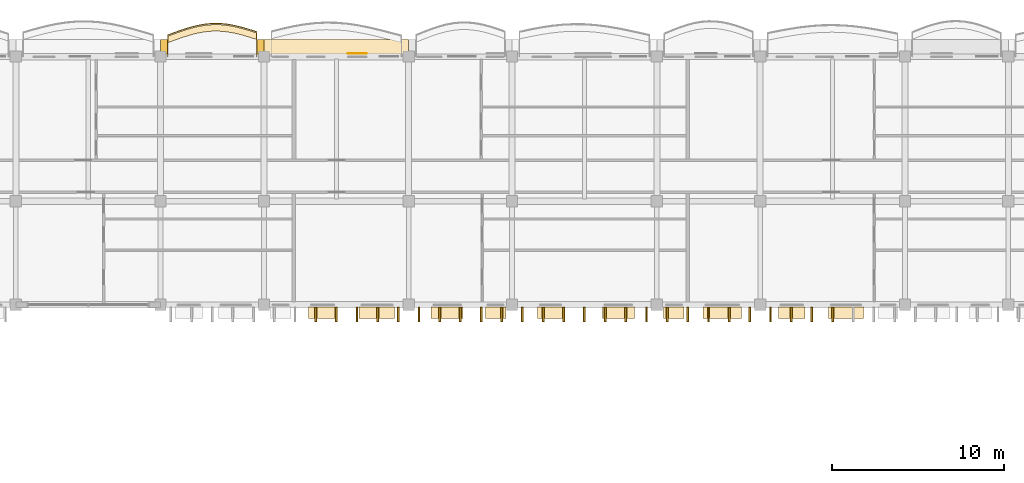
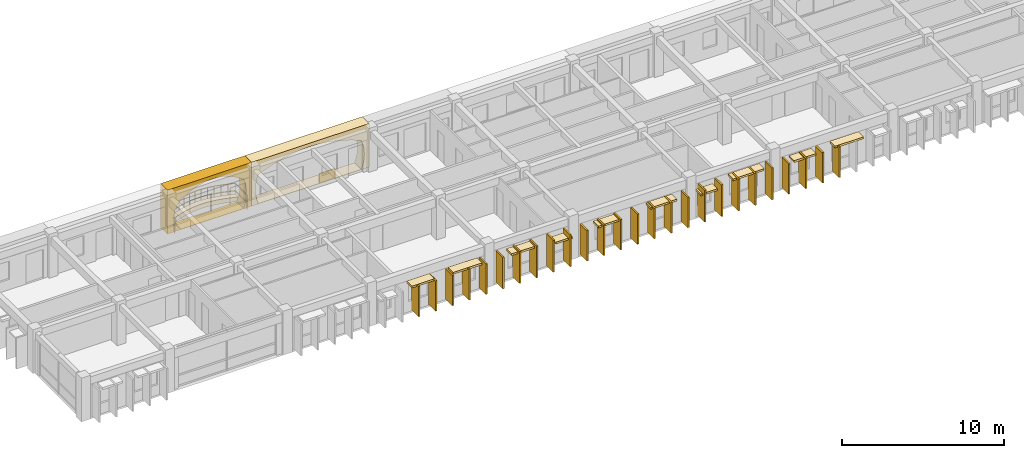
# One storey, part 62 of 76: 40 coverings, 1 railing.
"""IFC4 building model written with IfcOpenShell, lengths in metres."""

from ifc_helpers import new_model, si_unit, direction, frame, origin, origin_2d, place, context, subcontext, project, spatial, polyline, rectangle, outline, extrude, material, layer, layer_set, type_object, element, save


model = new_model("IFC4")

# Units and contexts
model_context = context("Model", 3, precision=1e-05, world=origin(), true_north=direction((0.0, 1.0)))
body_context = subcontext(model_context, "Body", "Model", "MODEL_VIEW")
ifc_project = project(units=[si_unit("LENGTHUNIT", "METRE"), si_unit("AREAUNIT", "SQUARE_METRE"), si_unit("VOLUMEUNIT", "CUBIC_METRE"), si_unit("PLANEANGLEUNIT", "RADIAN"), si_unit("MASSUNIT", "GRAM", prefix="KILO"), si_unit("THERMODYNAMICTEMPERATUREUNIT", "KELVIN")], contexts=[model_context])

# Site, building, storey
site_placement = place(None, origin())
site = spatial("IfcSite", under=ifc_project, at=site_placement, CompositionType="ELEMENT")
building_placement = place(site_placement, origin())
building = spatial("IfcBuilding", under=site, at=building_placement, Name="Thalorik Housing Commons", CompositionType="ELEMENT")
storey_placement = place(building_placement, frame((0.0, 0.0, 18.0)))
storey = spatial("IfcBuildingStorey", under=building, at=storey_placement, Name="L05", CompositionType="ELEMENT", Elevation=18.0)

# Coverings
ifc_material_1 = material(Name="Precast concrete C40/50", Category="concrete")
ifc_layer_1 = layer(ifc_material_1, 0.85009765625, Name="Precast concrete C40/50", Category="concrete")
ifc_layer_set_1 = layer_set([ifc_layer_1], Name="Precast concrete C40/50")
covering_type_1 = type_object("IfcCoveringType", Name="ARC-CLD-CUSH-850", PredefinedType="CLADDING", material=ifc_layer_set_1)
covering_1_placement = place(storey_placement, frame((105.0, 124.169921875, 0.0), z_axis=(0.0, 0.0, 1.0), x_axis=(-1.0, 0.0, 0.0)))
element("IfcCovering", 1, at=covering_1_placement, inside=storey, type_object=covering_type_1, Name="L05 White Precast Curved Cushion Bay Frame 2220", PredefinedType="CLADDING", context=body_context, shape_type="SweptSolid", body=[
    extrude(outline(polyline([(-4.199951171875, 0.0), (4.199951171875, 0.0), (4.199951171875, 3.300048828125), (-4.199951171875, 3.300048828125), (-4.199951171875, 0.0)]), holes=[polyline([(3.735107421875, 0.02490234375), (3.833251953125, 0.387451171875), (3.89208984375, 0.75), (3.91162109375, 1.112548828125), (3.89208984375, 1.47509765625), (3.833251953125, 1.83740234375), (3.735107421875, 2.199951171875), (3.121337890625, 2.455810546875), (2.507568359375, 2.656494140625), (1.893798828125, 2.819091796875), (1.280029296875, 2.940185546875), (0.666259765625, 3.014892578125), (0.052490234375, 3.0400390625), (-0.561279296875, 3.014892578125), (-1.175048828125, 2.940185546875), (-1.788818359375, 2.819091796875), (-2.402587890625, 2.656494140625), (-3.01611328125, 2.455810546875), (-3.6298828125, 2.199951171875), (-3.750244140625, 1.83740234375), (-3.822509765625, 1.47509765625), (-3.8466796875, 1.112548828125), (-3.822509765625, 0.75), (-3.750244140625, 0.387451171875), (-3.6298828125, 0.02490234375), (3.735107421875, 0.02490234375)])]), frame((0.0, 0.425048828125, 0.0), z_axis=(0.0, -1.0, 0.0), x_axis=(1.0, 0.0, 0.0)), (0.0, 0.0, 1.0), 0.85009765625),
])
covering_2_placement = place(storey_placement, frame((97.800048828125, 124.169921875, 0.0), z_axis=(0.0, 0.0, 1.0), x_axis=(-1.0, 0.0, 0.0)))
element("IfcCovering", 2, at=covering_2_placement, inside=storey, type_object=covering_type_1, Name="L05 White Precast Curved Cushion Bay Frame 2222", PredefinedType="CLADDING", context=body_context, shape_type="SweptSolid", body=[
    extrude(outline(polyline([(-3.0, 0.0), (3.0, 0.0), (3.0, 3.300048828125), (-3.0, 3.300048828125), (-3.0, 0.0)]), holes=[polyline([(2.0400390625, 0.02490234375), (2.3232421875, 0.394287109375), (2.493408203125, 0.76318359375), (2.550048828125, 1.132568359375), (2.493408203125, 1.501708984375), (2.3232421875, 1.870849609375), (2.0400390625, 2.239990234375), (1.66748046875, 2.4833984375), (1.294921875, 2.6748046875), (0.922607421875, 2.82958984375), (0.550048828125, 2.94482421875), (0.177490234375, 3.01611328125), (-0.195068359375, 3.0400390625), (-0.5673828125, 3.01611328125), (-0.93994140625, 2.94482421875), (-1.3125, 2.82958984375), (-1.68505859375, 2.6748046875), (-2.0576171875, 2.4833984375), (-2.429931640625, 2.239990234375), (-2.55029296875, 1.870849609375), (-2.62255859375, 1.501708984375), (-2.646484375, 1.132568359375), (-2.62255859375, 0.76318359375), (-2.55029296875, 0.394287109375), (-2.429931640625, 0.02490234375), (2.0400390625, 0.02490234375)])]), frame((0.0, 0.425048828125, 0.0), z_axis=(0.0, -1.0, 0.0), x_axis=(1.0, 0.0, 0.0)), (0.0, 0.0, 1.0), 0.85009765625),
])
ifc_layer_2 = layer(ifc_material_1, 0.85009765625, Name="Precast concrete C40/50", Category="concrete")
ifc_layer_set_2 = layer_set([ifc_layer_2], Name="Precast concrete C40/50")
covering_type_2 = type_object("IfcCoveringType", Name="ARC-CLD-FIN-850", PredefinedType="CLADDING", material=ifc_layer_set_2)
for number, where, z_axis, x_axis, name in (
    (3, (103.800048828125, 108.6298828125, 0.0400390625), (0.0, 0.0, 1.0), (1.0, 0.0, 0.0), "L05 Courtyard Precast Vertical Brise-Soleil Fin 2254"),
    (4, (105.0, 108.6298828125, 0.0400390625), (0.0, 0.0, 1.0), (1.0, 0.0, 0.0), "L05 Courtyard Precast Vertical Brise-Soleil Fin 2255"),
    (5, (106.199951171875, 108.6298828125, 0.0400390625), (0.0, 0.0, 1.0), (1.0, 0.0, 0.0), "L05 Courtyard Precast Vertical Brise-Soleil Fin 2256"),
    (6, (107.39990234375, 108.6298828125, 0.0400390625), (0.0, 0.0, 1.0), (1.0, 0.0, 0.0), "L05 Courtyard Precast Vertical Brise-Soleil Fin 2257"),
    (7, (108.60009765625, 108.6298828125, 0.0400390625), (0.0, 0.0, 1.0), (1.0, 0.0, 0.0), "L05 Courtyard Precast Vertical Brise-Soleil Fin 2258"),
):
    element("IfcCovering", number, at=place(storey_placement, frame(where, z_axis=z_axis, x_axis=x_axis)), inside=storey, type_object=covering_type_2, Name=name, PredefinedType="CLADDING", context=body_context, shape_type="SweptSolid", body=[
        extrude(rectangle(XDim=0.110107421875, YDim=0.85009765625, at=origin_2d()), origin(), (0.0, 0.0, 1.0), 2.294921875),
    ])
for number, where, z_axis, x_axis, name in (
    (8, (109.800048828125, 108.6298828125, 0.0400390625), (0.0, 0.0, 1.0), (1.0, 0.0, 0.0), "L05 Courtyard Precast Vertical Brise-Soleil Fin 2262"),
    (9, (111.0, 108.6298828125, 0.0400390625), (0.0, 0.0, 1.0), (1.0, 0.0, 0.0), "L05 Courtyard Precast Vertical Brise-Soleil Fin 2263"),
    (10, (112.199951171875, 108.6298828125, 0.0400390625), (0.0, 0.0, 1.0), (1.0, 0.0, 0.0), "L05 Courtyard Precast Vertical Brise-Soleil Fin 2264"),
    (11, (113.39990234375, 108.6298828125, 0.0400390625), (0.0, 0.0, 1.0), (1.0, 0.0, 0.0), "L05 Courtyard Precast Vertical Brise-Soleil Fin 2265"),
    (12, (114.60009765625, 108.6298828125, 0.0400390625), (0.0, 0.0, 1.0), (1.0, 0.0, 0.0), "L05 Courtyard Precast Vertical Brise-Soleil Fin 2266"),
):
    element("IfcCovering", number, at=place(storey_placement, frame(where, z_axis=z_axis, x_axis=x_axis)), inside=storey, type_object=covering_type_2, Name=name, PredefinedType="CLADDING", context=body_context, shape_type="SweptSolid", body=[
        extrude(rectangle(XDim=0.110107421875, YDim=0.85009765625, at=origin_2d()), origin(), (0.0, 0.0, 1.0), 2.39501953125),
    ])
for number, where, z_axis, x_axis, name in (
    (13, (115.800048828125, 108.6298828125, 0.0400390625), (0.0, 0.0, 1.0), (1.0, 0.0, 0.0), "L05 Courtyard Precast Vertical Brise-Soleil Fin 2269"),
    (14, (117.0, 108.6298828125, 0.0400390625), (0.0, 0.0, 1.0), (1.0, 0.0, 0.0), "L05 Courtyard Precast Vertical Brise-Soleil Fin 2270"),
    (15, (118.199951171875, 108.6298828125, 0.0400390625), (0.0, 0.0, 1.0), (1.0, 0.0, 0.0), "L05 Courtyard Precast Vertical Brise-Soleil Fin 2271"),
    (16, (119.39990234375, 108.6298828125, 0.0400390625), (0.0, 0.0, 1.0), (1.0, 0.0, 0.0), "L05 Courtyard Precast Vertical Brise-Soleil Fin 2272"),
    (17, (120.60009765625, 108.6298828125, 0.0400390625), (0.0, 0.0, 1.0), (1.0, 0.0, 0.0), "L05 Courtyard Precast Vertical Brise-Soleil Fin 2273"),
    (18, (121.800048828125, 108.6298828125, 0.0400390625), (0.0, 0.0, 1.0), (1.0, 0.0, 0.0), "L05 Courtyard Precast Vertical Brise-Soleil Fin 2274"),
    (19, (123.0, 108.6298828125, 0.0400390625), (0.0, 0.0, 1.0), (1.0, 0.0, 0.0), "L05 Courtyard Precast Vertical Brise-Soleil Fin 2275"),
):
    element("IfcCovering", number, at=place(storey_placement, frame(where, z_axis=z_axis, x_axis=x_axis)), inside=storey, type_object=covering_type_2, Name=name, PredefinedType="CLADDING", context=body_context, shape_type="SweptSolid", body=[
        extrude(rectangle(XDim=0.110107421875, YDim=0.85009765625, at=origin_2d()), origin(), (0.0, 0.0, 1.0), 2.294921875),
    ])
for number, where, z_axis, x_axis, name in (
    (20, (124.199951171875, 108.6298828125, 0.0400390625), (0.0, 0.0, 1.0), (1.0, 0.0, 0.0), "L05 Courtyard Precast Vertical Brise-Soleil Fin 2278"),
    (21, (125.39990234375, 108.6298828125, 0.0400390625), (0.0, 0.0, 1.0), (1.0, 0.0, 0.0), "L05 Courtyard Precast Vertical Brise-Soleil Fin 2279"),
    (22, (126.60009765625, 108.6298828125, 0.0400390625), (0.0, 0.0, 1.0), (1.0, 0.0, 0.0), "L05 Courtyard Precast Vertical Brise-Soleil Fin 2280"),
    (23, (127.800048828125, 108.6298828125, 0.0400390625), (0.0, 0.0, 1.0), (1.0, 0.0, 0.0), "L05 Courtyard Precast Vertical Brise-Soleil Fin 2281"),
    (24, (129.0, 108.6298828125, 0.0400390625), (0.0, 0.0, 1.0), (1.0, 0.0, 0.0), "L05 Courtyard Precast Vertical Brise-Soleil Fin 2282"),
):
    element("IfcCovering", number, at=place(storey_placement, frame(where, z_axis=z_axis, x_axis=x_axis)), inside=storey, type_object=covering_type_2, Name=name, PredefinedType="CLADDING", context=body_context, shape_type="SweptSolid", body=[
        extrude(rectangle(XDim=0.110107421875, YDim=0.85009765625, at=origin_2d()), origin(), (0.0, 0.0, 1.0), 2.39501953125),
    ])
for number, where, z_axis, x_axis, name in (
    (25, (130.199951171875, 108.6298828125, 0.0400390625), (0.0, 0.0, 1.0), (1.0, 0.0, 0.0), "L05 Courtyard Precast Vertical Brise-Soleil Fin 2285"),
    (26, (131.39990234375, 108.6298828125, 0.0400390625), (0.0, 0.0, 1.0), (1.0, 0.0, 0.0), "L05 Courtyard Precast Vertical Brise-Soleil Fin 2286"),
    (27, (132.60009765625, 108.6298828125, 0.0400390625), (0.0, 0.0, 1.0), (1.0, 0.0, 0.0), "L05 Courtyard Precast Vertical Brise-Soleil Fin 2287"),
    (28, (133.800048828125, 108.6298828125, 0.0400390625), (0.0, 0.0, 1.0), (1.0, 0.0, 0.0), "L05 Courtyard Precast Vertical Brise-Soleil Fin 2288"),
):
    element("IfcCovering", number, at=place(storey_placement, frame(where, z_axis=z_axis, x_axis=x_axis)), inside=storey, type_object=covering_type_2, Name=name, PredefinedType="CLADDING", context=body_context, shape_type="SweptSolid", body=[
        extrude(rectangle(XDim=0.110107421875, YDim=0.85009765625, at=origin_2d()), origin(), (0.0, 0.0, 1.0), 2.294921875),
    ])
ifc_layer_3 = layer(ifc_material_1, 0.64990234375, Name="Precast concrete C40/50", Category="concrete")
ifc_layer_set_3 = layer_set([ifc_layer_3], Name="Precast concrete C40/50")
covering_type_3 = type_object("IfcCoveringType", Name="ARC-CLD-HOOD-650", PredefinedType="CLADDING", material=ifc_layer_set_3)
covering_3_placement = place(storey_placement, frame((104.1923828125, 108.72998046875, 2.22509765625), z_axis=(0.0, 0.0, 1.0), x_axis=(1.0, 0.0, 0.0)))
element("IfcCovering", 29, at=covering_3_placement, inside=storey, type_object=covering_type_3, Name="L05 Courtyard Precast Window Sun-Hood 2260", PredefinedType="CLADDING", context=body_context, shape_type="SweptSolid", body=[
    extrude(rectangle(XDim=1.6201171875, YDim=0.64990234375, at=origin_2d()), origin(), (0.0, 0.0, 1.0), 0.139892578125),
])
covering_4_placement = place(storey_placement, frame((107.357421875, 108.72998046875, 2.22509765625), z_axis=(0.0, 0.0, 1.0), x_axis=(1.0, 0.0, 0.0)))
element("IfcCovering", 30, at=covering_4_placement, inside=storey, type_object=covering_type_3, Name="L05 Courtyard Precast Window Sun-Hood 2261", PredefinedType="CLADDING", context=body_context, shape_type="SweptSolid", body=[
    extrude(rectangle(XDim=2.06005859375, YDim=0.64990234375, at=origin_2d()), origin(), (0.0, 0.0, 1.0), 0.139892578125),
])
covering_5_placement = place(storey_placement, frame((111.429931640625, 108.72998046875, 2.169921875), z_axis=(0.0, 0.0, 1.0), x_axis=(1.0, 0.0, 0.0)))
element("IfcCovering", 31, at=covering_5_placement, inside=storey, type_object=covering_type_3, Name="L05 Courtyard Precast Window Sun-Hood 2267", PredefinedType="CLADDING", context=body_context, shape_type="SweptSolid", body=[
    extrude(rectangle(XDim=1.860107421875, YDim=0.64990234375, at=origin_2d()), origin(), (0.0, 0.0, 1.0), 0.139892578125),
])
covering_6_placement = place(storey_placement, frame((114.239990234375, 108.72998046875, 1.93994140625), z_axis=(0.0, 0.0, 1.0), x_axis=(1.0, 0.0, 0.0)))
element("IfcCovering", 32, at=covering_6_placement, inside=storey, type_object=covering_type_3, Name="L05 Courtyard Precast Window Sun-Hood 2268", PredefinedType="CLADDING", context=body_context, shape_type="SweptSolid", body=[
    extrude(rectangle(XDim=1.18994140625, YDim=0.64990234375, at=origin_2d()), origin(), (0.0, 0.0, 1.0), 0.139892578125),
])
covering_7_placement = place(storey_placement, frame((117.429931640625, 108.72998046875, 2.08984375), z_axis=(0.0, 0.0, 1.0), x_axis=(1.0, 0.0, 0.0)))
element("IfcCovering", 33, at=covering_7_placement, inside=storey, type_object=covering_type_3, Name="L05 Courtyard Precast Window Sun-Hood 2276", PredefinedType="CLADDING", context=body_context, shape_type="SweptSolid", body=[
    extrude(rectangle(XDim=1.489990234375, YDim=0.64990234375, at=origin_2d()), origin(), (0.0, 0.0, 1.0), 0.139892578125),
])
covering_8_placement = place(storey_placement, frame((121.3701171875, 108.72998046875, 2.169921875), z_axis=(0.0, 0.0, 1.0), x_axis=(1.0, 0.0, 0.0)))
element("IfcCovering", 34, at=covering_8_placement, inside=storey, type_object=covering_type_3, Name="L05 Courtyard Precast Window Sun-Hood 2277", PredefinedType="CLADDING", context=body_context, shape_type="SweptSolid", body=[
    extrude(rectangle(XDim=1.860107421875, YDim=0.64990234375, at=origin_2d()), origin(), (0.0, 0.0, 1.0), 0.139892578125),
])
covering_9_placement = place(storey_placement, frame((124.594970703125, 108.72998046875, 1.93994140625), z_axis=(0.0, 0.0, 1.0), x_axis=(1.0, 0.0, 0.0)))
element("IfcCovering", 35, at=covering_9_placement, inside=storey, type_object=covering_type_3, Name="L05 Courtyard Precast Window Sun-Hood 2283", PredefinedType="CLADDING", context=body_context, shape_type="SweptSolid", body=[
    extrude(rectangle(XDim=1.18994140625, YDim=0.64990234375, at=origin_2d()), origin(), (0.0, 0.0, 1.0), 0.139892578125),
])
covering_10_placement = place(storey_placement, frame((127.405029296875, 108.72998046875, 2.2900390625), z_axis=(0.0, 0.0, 1.0), x_axis=(1.0, 0.0, 0.0)))
element("IfcCovering", 36, at=covering_10_placement, inside=storey, type_object=covering_type_3, Name="L05 Courtyard Precast Window Sun-Hood 2284", PredefinedType="CLADDING", context=body_context, shape_type="SweptSolid", body=[
    extrude(rectangle(XDim=2.219970703125, YDim=0.64990234375, at=origin_2d()), origin(), (0.0, 0.0, 1.0), 0.139892578125),
])
covering_11_placement = place(storey_placement, frame((131.433837890625, 108.72998046875, 2.14013671875), z_axis=(0.0, 0.0, 1.0), x_axis=(1.0, 0.0, 0.0)))
element("IfcCovering", 37, at=covering_11_placement, inside=storey, type_object=covering_type_3, Name="L05 Courtyard Precast Window Sun-Hood 2292", PredefinedType="CLADDING", context=body_context, shape_type="SweptSolid", body=[
    extrude(rectangle(XDim=1.56005859375, YDim=0.64990234375, at=origin_2d()), origin(), (0.0, 0.0, 1.0), 0.139892578125),
])
covering_12_placement = place(storey_placement, frame((134.581298828125, 108.72998046875, 2.2099609375), z_axis=(0.0, 0.0, 1.0), x_axis=(1.0, 0.0, 0.0)))
element("IfcCovering", 38, at=covering_12_placement, inside=storey, type_object=covering_type_3, Name="L05 Courtyard Precast Window Sun-Hood 2293", PredefinedType="CLADDING", context=body_context, shape_type="SweptSolid", body=[
    extrude(rectangle(XDim=2.02001953125, YDim=0.64990234375, at=origin_2d()), origin(), (0.0, 0.0, 1.0), 0.139892578125),
])
ifc_material_2 = material(Name="Terracotta red mineral fibre-cement panel", Category="masonry")
ifc_layer_4 = layer(ifc_material_2, 0.054931640625, Name="Terracotta red mineral fibre-cement panel", Category="masonry")
ifc_layer_set_4 = layer_set([ifc_layer_4], Name="Terracotta red mineral fibre-cement panel")
covering_type_4 = type_object("IfcCoveringType", Name="ARC-CLD-RED-55", PredefinedType="CLADDING", material=ifc_layer_set_4)
covering_13_placement = place(storey_placement, frame((106.2099609375, 123.777587890625, 0.0498046875), z_axis=(0.0, 0.0, 1.0), x_axis=(-1.0, 0.0, 0.0)))
element("IfcCovering", 39, at=covering_13_placement, inside=storey, type_object=covering_type_4, Name="L05 De Stijl Recessed Window Spandrel 2221", PredefinedType="CLADDING", context=body_context, shape_type="SweptSolid", body=[
    extrude(rectangle(XDim=1.10009765625, YDim=0.054931640625, at=origin_2d()), origin(), (0.0, 0.0, 1.0), 0.699951171875),
])
ifc_material_3 = material(Name="Planted vegetated substrate and terracotta trough", Category="masonry")
ifc_layer_5 = layer(ifc_material_3, 0.340087890625, Name="Planted vegetated substrate and terracotta trough", Category="masonry")
ifc_layer_set_5 = layer_set([ifc_layer_5], Name="Planted vegetated substrate and terracotta trough")
covering_type_5 = type_object("IfcCoveringType", Name="ARC-COV-PLANTER", PredefinedType="USERDEFINED", material=ifc_layer_set_5)
covering_14_placement = place(storey_placement, origin())
element("IfcCovering", 40, at=covering_14_placement, inside=storey, type_object=covering_type_5, Name="L05 Balcony Slab-Edge Planted Trough 5470", ObjectType="PLANTER", PredefinedType="USERDEFINED", context=body_context, shape_type="SweptSolid", body=[
    extrude(outline(polyline([(100.3798828125, 124.96630859375), (99.949951171875, 125.105224609375), (99.52001953125, 125.231689453125), (99.090087890625, 125.33642578125), (98.659912109375, 125.411376953125), (98.22998046875, 125.450927734375), (97.800048828125, 125.451416015625), (97.3701171875, 125.41259765625), (96.93994140625, 125.3359375), (96.510009765625, 125.226318359375), (96.080078125, 125.09130859375), (95.64990234375, 124.939208984375), (95.219970703125, 124.780517578125), (95.219970703125, 124.400390625), (95.64990234375, 124.55908203125), (96.080078125, 124.711181640625), (96.510009765625, 124.846435546875), (96.93994140625, 124.955810546875), (97.3701171875, 125.032470703125), (97.800048828125, 125.071533203125), (98.22998046875, 125.07080078125), (98.659912109375, 125.031494140625), (99.090087890625, 124.956298828125), (99.52001953125, 124.851806640625), (99.949951171875, 124.725341796875), (100.3798828125, 124.58642578125), (100.3798828125, 124.96630859375)])), origin(), (0.0, 0.0, 1.0), 0.340087890625),
])

# Railing
ifc_material_4 = material(Name="Steel S355", Category="steel")
railing_type = type_object("IfcRailingType", Name="ARC-RL-BAL-112", PredefinedType="BALUSTRADE", material=ifc_material_4)
railing_placement = place(storey_placement, frame((100.3798828125, 123.60009765625, 0.0)))
element("IfcRailing", 41, at=railing_placement, inside=storey, type_object=railing_type, Name="L05 Cushion Balcony Guardrail 154", PredefinedType="BALUSTRADE", context=body_context, shape_type="SweptSolid", body=[
    extrude(rectangle(XDim=0.050048828125, YDim=0.050048828125, at=origin_2d()), frame((0.0, 0.0, 1.09521484375), z_axis=(0.0, 1.0, 0.0), x_axis=(-1.0, 0.0, 0.0)), (0.0, 0.0, 1.0), 1.436279296875),
    extrude(rectangle(XDim=0.050048828125, YDim=0.050048828125, at=origin_2d()), frame((0.0, 0.0, 0.53515625), z_axis=(0.0, 1.0, 0.0), x_axis=(-1.0, 0.0, 0.0)), (0.0, 0.0, 1.0), 1.436279296875),
    extrude(rectangle(XDim=0.050048828125, YDim=0.050048828125, at=origin_2d()), frame((0.0, 1.436279296875, 1.09521484375), z_axis=(-0.951560814665, 0.307460592586, 0.0), x_axis=(-0.307460592586, -0.951560814665, 0.0)), (0.0, 0.0, 1.0), 0.451904296875),
    extrude(rectangle(XDim=0.050048828125, YDim=0.050048828125, at=origin_2d()), frame((0.0, 1.436279296875, 0.53515625), z_axis=(-0.951560814665, 0.307460592586, 0.0), x_axis=(-0.307460592586, -0.951560814665, 0.0)), (0.0, 0.0, 1.0), 0.451904296875),
    extrude(rectangle(XDim=0.050048828125, YDim=0.050048828125, at=origin_2d()), frame((-0.429931640625, 1.5751953125, 1.09521484375), z_axis=(-0.959356826284, 0.282195818294, 0.0), x_axis=(-0.282195818294, -0.959356826284, 0.0)), (0.0, 0.0, 1.0), 0.4482421875),
    extrude(rectangle(XDim=0.050048828125, YDim=0.050048828125, at=origin_2d()), frame((-0.429931640625, 1.5751953125, 0.53515625), z_axis=(-0.959356826284, 0.282195818294, 0.0), x_axis=(-0.282195818294, -0.959356826284, 0.0)), (0.0, 0.0, 1.0), 0.4482421875),
    extrude(rectangle(XDim=0.050048828125, YDim=0.050048828125, at=origin_2d()), frame((-0.85986328125, 1.70166015625, 1.09521484375), z_axis=(-0.971585356615, 0.236689448034, 0.0), x_axis=(-0.236689448034, -0.971585356615, 0.0)), (0.0, 0.0, 1.0), 0.442626953125),
    extrude(rectangle(XDim=0.050048828125, YDim=0.050048828125, at=origin_2d()), frame((-0.85986328125, 1.70166015625, 0.53515625), z_axis=(-0.971585356615, 0.236689448034, 0.0), x_axis=(-0.236689448034, -0.971585356615, 0.0)), (0.0, 0.0, 1.0), 0.442626953125),
    extrude(rectangle(XDim=0.050048828125, YDim=0.050048828125, at=origin_2d()), frame((-1.289794921875, 1.806396484375, 1.09521484375), z_axis=(-0.985158360438, 0.171647909566, 0.0), x_axis=(-0.171647909566, -0.985158360438, 0.0)), (0.0, 0.0, 1.0), 0.436767578125),
    extrude(rectangle(XDim=0.050048828125, YDim=0.050048828125, at=origin_2d()), frame((-1.289794921875, 1.806396484375, 0.53515625), z_axis=(-0.985158360438, 0.171647909566, 0.0), x_axis=(-0.171647909566, -0.985158360438, 0.0)), (0.0, 0.0, 1.0), 0.436767578125),
    extrude(rectangle(XDim=0.050048828125, YDim=0.050048828125, at=origin_2d()), frame((-1.719970703125, 1.88134765625, 1.09521484375), z_axis=(-0.995795295661, 0.091606381543, 0.0), x_axis=(-0.091606381543, -0.995795295661, 0.0)), (0.0, 0.0, 1.0), 0.431640625),
    extrude(rectangle(XDim=0.050048828125, YDim=0.050048828125, at=origin_2d()), frame((-1.719970703125, 1.88134765625, 0.53515625), z_axis=(-0.995795295661, 0.091606381543, 0.0), x_axis=(-0.091606381543, -0.995795295661, 0.0)), (0.0, 0.0, 1.0), 0.431640625),
    extrude(rectangle(XDim=0.050048828125, YDim=0.050048828125, at=origin_2d()), frame((-2.14990234375, 1.9208984375, 1.09521484375), z_axis=(-0.999999355073, 0.001135717609, 0.0), x_axis=(-0.001135717609, -0.999999355073, 0.0)), (0.0, 0.0, 1.0), 0.429931640625),
    extrude(rectangle(XDim=0.050048828125, YDim=0.050048828125, at=origin_2d()), frame((-2.14990234375, 1.9208984375, 0.53515625), z_axis=(-0.999999355073, 0.001135717609, 0.0), x_axis=(-0.001135717609, -0.999999355073, 0.0)), (0.0, 0.0, 1.0), 0.429931640625),
    extrude(rectangle(XDim=0.050048828125, YDim=0.050048828125, at=origin_2d()), frame((-2.579833984375, 1.92138671875, 1.09521484375), z_axis=(-0.995897840652, -0.090484755539, 0.0), x_axis=(0.090484755539, -0.995897840652, 0.0)), (0.0, 0.0, 1.0), 0.431640625),
    extrude(rectangle(XDim=0.050048828125, YDim=0.050048828125, at=origin_2d()), frame((-2.579833984375, 1.92138671875, 0.53515625), z_axis=(-0.995897840652, -0.090484755539, 0.0), x_axis=(0.090484755539, -0.995897840652, 0.0)), (0.0, 0.0, 1.0), 0.431640625),
    extrude(rectangle(XDim=0.050048828125, YDim=0.050048828125, at=origin_2d()), frame((-3.009765625, 1.88232421875, 1.09521484375), z_axis=(-0.984586038099, -0.174900925043, 0.0), x_axis=(0.174900925043, -0.984586038099, 0.0)), (0.0, 0.0, 1.0), 0.43701171875),
    extrude(rectangle(XDim=0.050048828125, YDim=0.050048828125, at=origin_2d()), frame((-3.009765625, 1.88232421875, 0.53515625), z_axis=(-0.984586038099, -0.174900925043, 0.0), x_axis=(0.174900925043, -0.984586038099, 0.0)), (0.0, 0.0, 1.0), 0.43701171875),
    extrude(rectangle(XDim=0.050048828125, YDim=0.050048828125, at=origin_2d()), frame((-3.43994140625, 1.805908203125, 1.09521484375), z_axis=(-0.968999038876, -0.247064490889, 0.0), x_axis=(0.247064490889, -0.968999038876, 0.0)), (0.0, 0.0, 1.0), 0.443603515625),
    extrude(rectangle(XDim=0.050048828125, YDim=0.050048828125, at=origin_2d()), frame((-3.43994140625, 1.805908203125, 0.53515625), z_axis=(-0.968999038876, -0.247064490889, 0.0), x_axis=(0.247064490889, -0.968999038876, 0.0)), (0.0, 0.0, 1.0), 0.443603515625),
    extrude(rectangle(XDim=0.050048828125, YDim=0.050048828125, at=origin_2d()), frame((-3.869873046875, 1.6962890625, 1.09521484375), z_axis=(-0.953909569084, -0.300094208559, 0.0), x_axis=(0.300094208559, -0.953909569084, 0.0)), (0.0, 0.0, 1.0), 0.45068359375),
    extrude(rectangle(XDim=0.050048828125, YDim=0.050048828125, at=origin_2d()), frame((-3.869873046875, 1.6962890625, 0.53515625), z_axis=(-0.953909569084, -0.300094208559, 0.0), x_axis=(0.300094208559, -0.953909569084, 0.0)), (0.0, 0.0, 1.0), 0.45068359375),
    extrude(rectangle(XDim=0.050048828125, YDim=0.050048828125, at=origin_2d()), frame((-4.2998046875, 1.56103515625, 1.09521484375), z_axis=(-0.942802495723, -0.333351847239, 0.0), x_axis=(0.333351847239, -0.942802495723, 0.0)), (0.0, 0.0, 1.0), 0.456298828125),
    extrude(rectangle(XDim=0.050048828125, YDim=0.050048828125, at=origin_2d()), frame((-4.2998046875, 1.56103515625, 0.53515625), z_axis=(-0.942802495723, -0.333351847239, 0.0), x_axis=(0.333351847239, -0.942802495723, 0.0)), (0.0, 0.0, 1.0), 0.456298828125),
    extrude(rectangle(XDim=0.050048828125, YDim=0.050048828125, at=origin_2d()), frame((-4.72998046875, 1.408935546875, 1.09521484375), z_axis=(-0.938133751887, -0.346273105467, 0.0), x_axis=(0.346273105467, -0.938133751887, 0.0)), (0.0, 0.0, 1.0), 0.458251953125),
    extrude(rectangle(XDim=0.050048828125, YDim=0.050048828125, at=origin_2d()), frame((-4.72998046875, 1.408935546875, 0.53515625), z_axis=(-0.938133751887, -0.346273105467, 0.0), x_axis=(0.346273105467, -0.938133751887, 0.0)), (0.0, 0.0, 1.0), 0.458251953125),
    extrude(rectangle(XDim=0.050048828125, YDim=0.050048828125, at=origin_2d()), frame((-5.159912109375, 1.250244140625, 1.09521484375), z_axis=(0.0, -1.0, 0.0), x_axis=(1.0, 0.0, 0.0)), (0.0, 0.0, 1.0), 1.250244140625),
    extrude(rectangle(XDim=0.050048828125, YDim=0.050048828125, at=origin_2d()), frame((-5.159912109375, 1.250244140625, 0.53515625), z_axis=(0.0, -1.0, 0.0), x_axis=(1.0, 0.0, 0.0)), (0.0, 0.0, 1.0), 1.250244140625),
    extrude(rectangle(XDim=0.0419921875, YDim=0.0419921875, at=origin_2d()), origin(), (0.0, 0.0, 1.0), 1.070068359375),
    extrude(rectangle(XDim=0.0419921875, YDim=0.0419921875, at=origin_2d()), frame((0.0, 1.436279296875, 0.0)), (0.0, 0.0, 1.0), 1.070068359375),
    extrude(rectangle(XDim=0.0419921875, YDim=0.0419921875, at=origin_2d()), frame((-0.429931640625, 1.5751953125, 0.0)), (0.0, 0.0, 1.0), 1.070068359375),
    extrude(rectangle(XDim=0.0419921875, YDim=0.0419921875, at=origin_2d()), frame((-0.85986328125, 1.70166015625, 0.0)), (0.0, 0.0, 1.0), 1.070068359375),
    extrude(rectangle(XDim=0.0419921875, YDim=0.0419921875, at=origin_2d()), frame((-1.289794921875, 1.806396484375, 0.0)), (0.0, 0.0, 1.0), 1.070068359375),
    extrude(rectangle(XDim=0.0419921875, YDim=0.0419921875, at=origin_2d()), frame((-1.719970703125, 1.88134765625, 0.0)), (0.0, 0.0, 1.0), 1.070068359375),
    extrude(rectangle(XDim=0.0419921875, YDim=0.0419921875, at=origin_2d()), frame((-2.14990234375, 1.9208984375, 0.0)), (0.0, 0.0, 1.0), 1.070068359375),
    extrude(rectangle(XDim=0.0419921875, YDim=0.0419921875, at=origin_2d()), frame((-2.579833984375, 1.92138671875, 0.0)), (0.0, 0.0, 1.0), 1.070068359375),
    extrude(rectangle(XDim=0.0419921875, YDim=0.0419921875, at=origin_2d()), frame((-3.009765625, 1.88232421875, 0.0)), (0.0, 0.0, 1.0), 1.070068359375),
    extrude(rectangle(XDim=0.0419921875, YDim=0.0419921875, at=origin_2d()), frame((-3.43994140625, 1.805908203125, 0.0)), (0.0, 0.0, 1.0), 1.070068359375),
    extrude(rectangle(XDim=0.0419921875, YDim=0.0419921875, at=origin_2d()), frame((-3.869873046875, 1.6962890625, 0.0)), (0.0, 0.0, 1.0), 1.070068359375),
    extrude(rectangle(XDim=0.0419921875, YDim=0.0419921875, at=origin_2d()), frame((-4.2998046875, 1.56103515625, 0.0)), (0.0, 0.0, 1.0), 1.070068359375),
    extrude(rectangle(XDim=0.0419921875, YDim=0.0419921875, at=origin_2d()), frame((-4.72998046875, 1.408935546875, 0.0)), (0.0, 0.0, 1.0), 1.070068359375),
    extrude(rectangle(XDim=0.0419921875, YDim=0.0419921875, at=origin_2d()), frame((-5.159912109375, 1.250244140625, 0.0)), (0.0, 0.0, 1.0), 1.070068359375),
    extrude(rectangle(XDim=0.0419921875, YDim=0.0419921875, at=origin_2d()), frame((-5.159912109375, 0.0, 0.0)), (0.0, 0.0, 1.0), 1.070068359375),
])

save(model, "model.ifc")
